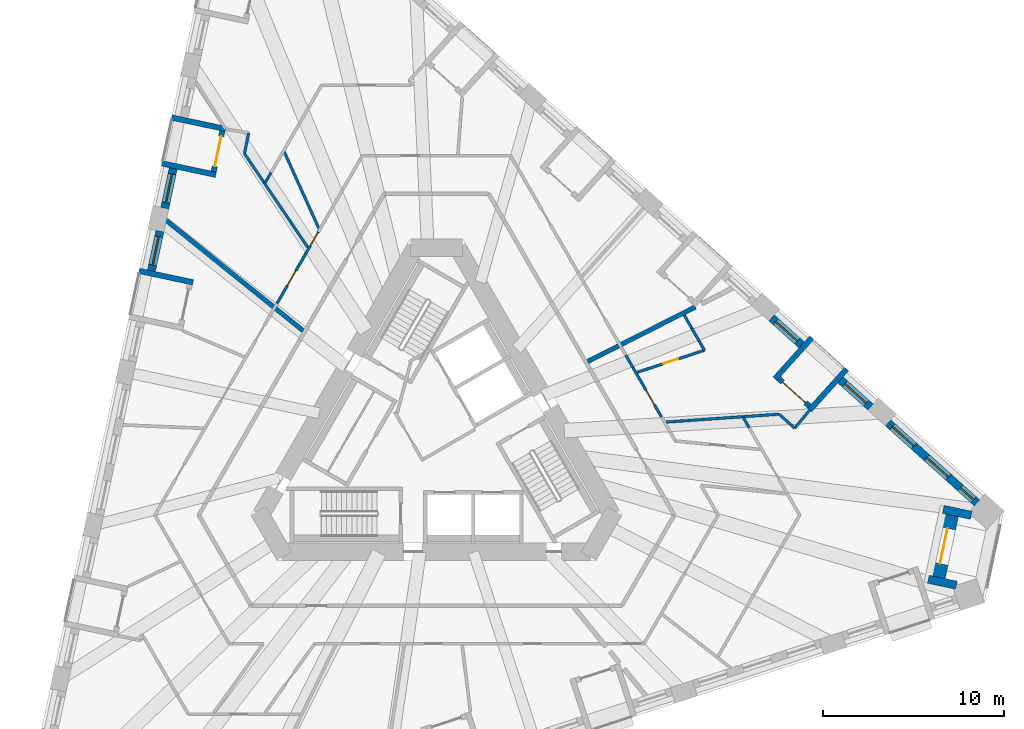
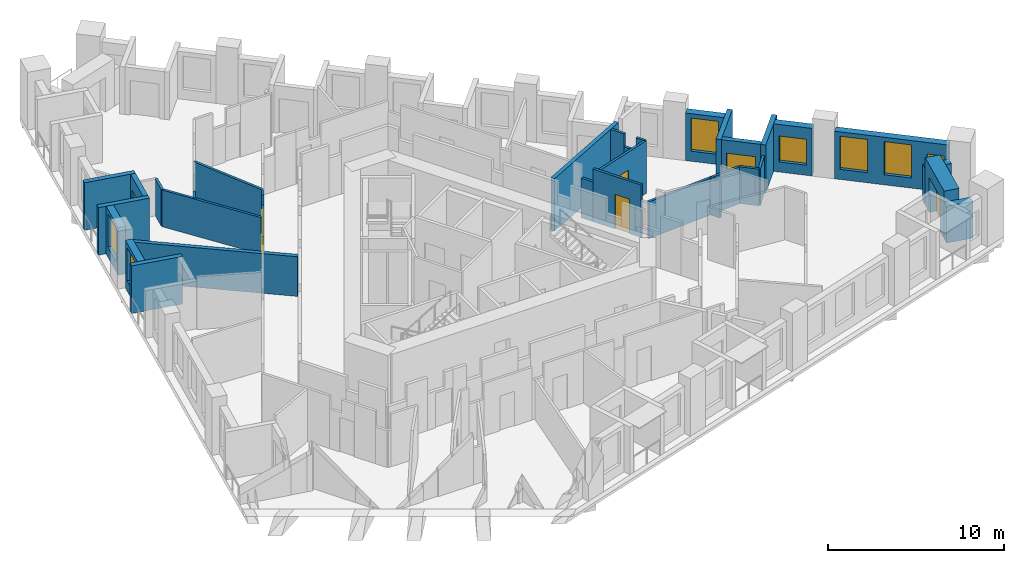
# One storey, part 7 of 13: 33 walls, 7 doors, 7 windows, 14 openings.
"""IFC4 building model written with IfcOpenShell, lengths in metres."""

from ifc_helpers import new_model, si_unit, direction, frame, frame_2d, origin, place, context, subcontext, project, spatial, polyline, rectangle, outline, extrude, material, layer, layer_set, type_object, element, fill, save


model = new_model("IFC4")

# Units and contexts
model_context = context("Model", 3, precision=1e-05, world=origin(), true_north=direction((0.0, 1.0)))
body_context = subcontext(model_context, "Body", "Model", "MODEL_VIEW")
ifc_project = project(units=[si_unit("LENGTHUNIT", "METRE"), si_unit("AREAUNIT", "SQUARE_METRE"), si_unit("VOLUMEUNIT", "CUBIC_METRE"), si_unit("PLANEANGLEUNIT", "RADIAN"), si_unit("MASSUNIT", "GRAM", prefix="KILO")], contexts=[model_context])

# Site, building, storey
site_placement = place(None, origin())
site = spatial("IfcSite", under=ifc_project, at=site_placement, CompositionType="ELEMENT")
building_placement = place(site_placement, origin())
building = spatial("IfcBuilding", under=site, at=building_placement, Name="Tramontana Tower", CompositionType="ELEMENT")
storey_placement = place(building_placement, frame((0.0, 0.0, 116.39990234375)))
storey = spatial("IfcBuildingStorey", under=building, at=storey_placement, Name="L26", CompositionType="ELEMENT", Elevation=116.39990234375)

# Wall, opening, window
ifc_material_1 = material(Name="Precast concrete 60 MPa", Category="concrete")
ifc_layer_1 = layer(ifc_material_1, 0.449951171875)
ifc_layer_set_1 = layer_set([ifc_layer_1], Name="Precast concrete 60 MPa, 450 mm")
wall_type_1 = type_object("IfcWallType", Name="EW1 Stone-faced precast wall 450", PredefinedType="SOLIDWALL", material=ifc_layer_set_1)
wall_1_placement = place(storey_placement, frame((-14.545654296875, 14.896728515625, 0.0), z_axis=(0.0, 0.0, 1.0), x_axis=(-0.207941001029, -0.978141370197, 0.0)))
wall_1 = element("IfcWall", 1, at=wall_1_placement, inside=storey, type_object=wall_type_1, Name="External wall L26 face 0 bay 2", PredefinedType="SOLIDWALL", context=body_context, shape_type="SweptSolid", body=[
    extrude(rectangle(XDim=2.236572265625, YDim=0.449951171875, at=frame_2d((1.1181640625, 0.0))), origin(), (0.0, 0.0, 1.0), 3.300048828125),
])
opening_1_placement = place(wall_1_placement, frame((0.318359375, 0.0, 0.699951171875)))
opening_1 = element("IfcOpeningElement", 2, at=opening_1_placement, cuts=wall_1, Name="Opening M1", PredefinedType="OPENING", context=body_context, shape_type="SweptSolid", body=[
    extrude(rectangle(XDim=1.60009765625, YDim=2.300048828125, at=frame_2d((0.800048828125, 1.14990234375))), frame((0.0, 0.23486328125, 0.0), z_axis=(0.0, -1.0, 0.0), x_axis=(1.0, 0.0, 0.0)), (0.0, 0.0, 1.0), 0.469970703125),
])
ifc_material_2 = material(Name="Aluminum frame, double glazing unit", Category="aluminium")
window_type_1 = type_object("IfcWindowType", Name="M1 Window 1.6 x 2.3", PartitioningType="SINGLE_PANEL", PredefinedType="WINDOW", material=ifc_material_2)
window_1_placement = place(opening_1_placement, origin())
window_1 = element("IfcWindow", 3, at=window_1_placement, inside=storey, type_object=window_type_1, Name="Window M1 L26 face 0 module 6", OverallHeight=2.300048828125, OverallWidth=1.60009765625, PartitioningType="SINGLE_PANEL", PredefinedType="WINDOW", context=body_context, shape_type="SweptSolid", body=[
    extrude(rectangle(XDim=1.60009765625, YDim=2.300048828125, at=frame_2d((0.800048828125, 1.14990234375))), frame((0.0, 0.030029296875, 0.0), z_axis=(0.0, -1.0, 0.0), x_axis=(1.0, 0.0, 0.0)), (0.0, 0.0, 1.0), 0.06005859375),
])
fill(opening_1, window_1)

wall_2_placement = place(storey_placement, frame((-15.281005859375, 11.437255859375, 0.0), z_axis=(0.0, 0.0, 1.0), x_axis=(-0.207941001029, -0.978141370197, 0.0)))
wall_2 = element("IfcWall", 4, at=wall_2_placement, inside=storey, type_object=wall_type_1, Name="External wall L26 face 0 bay 3", PredefinedType="SOLIDWALL", context=body_context, shape_type="SweptSolid", body=[
    extrude(rectangle(XDim=2.236572265625, YDim=0.449951171875, at=frame_2d((1.1181640625, 0.0))), origin(), (0.0, 0.0, 1.0), 3.300048828125),
])
opening_2_placement = place(wall_2_placement, frame((0.318359375, 0.0, 0.699951171875)))
opening_2 = element("IfcOpeningElement", 5, at=opening_2_placement, cuts=wall_2, Name="Opening M1", PredefinedType="OPENING", context=body_context, shape_type="SweptSolid", body=[
    extrude(rectangle(XDim=1.60009765625, YDim=2.300048828125, at=frame_2d((0.800048828125, 1.14990234375))), frame((0.0, 0.23486328125, 0.0), z_axis=(0.0, -1.0, 0.0), x_axis=(1.0, 0.0, 0.0)), (0.0, 0.0, 1.0), 0.469970703125),
])
window_2_placement = place(opening_2_placement, origin())
window_2 = element("IfcWindow", 6, at=window_2_placement, inside=storey, type_object=window_type_1, Name="Window M1 L26 face 0 module 7", OverallHeight=2.300048828125, OverallWidth=1.60009765625, PartitioningType="SINGLE_PANEL", PredefinedType="WINDOW", context=body_context, shape_type="SweptSolid", body=[
    extrude(rectangle(XDim=1.60009765625, YDim=2.300048828125, at=frame_2d((0.800048828125, 1.14990234375))), frame((0.0, 0.030029296875, 0.0), z_axis=(0.0, -1.0, 0.0), x_axis=(1.0, 0.0, 0.0)), (0.0, 0.0, 1.0), 0.06005859375),
])
fill(opening_2, window_2)

# Wall, openings, windows
wall_3_placement = place(storey_placement, frame((29.85986328125, -3.57275390625, 0.0), z_axis=(0.0, 0.0, 1.0), x_axis=(-0.743161908204, 0.669111633582, 0.0)))
wall_3 = element("IfcWall", 7, at=wall_3_placement, inside=storey, type_object=wall_type_1, Name="External wall L26 face 2 bay 1", PredefinedType="SOLIDWALL", context=body_context, shape_type="SweptSolid", body=[
    extrude(rectangle(XDim=6.6103515625, YDim=0.449951171875, at=frame_2d((3.30517578125, 0.0))), origin(), (0.0, 0.0, 1.0), 3.300048828125),
])
opening_3_placement = place(wall_3_placement, frame((0.243408203125, 0.0, 0.699951171875)))
opening_3 = element("IfcOpeningElement", 8, at=opening_3_placement, cuts=wall_3, Name="Opening N1L", PredefinedType="OPENING", context=body_context, shape_type="SweptSolid", body=[
    extrude(rectangle(XDim=1.0, YDim=1.800048828125, at=frame_2d((0.5, 0.89990234375))), frame((0.0, 0.23486328125, 0.0), z_axis=(0.0, -1.0, 0.0), x_axis=(1.0, 0.0, 0.0)), (0.0, 0.0, 1.0), 0.469970703125),
])
opening_4_placement = place(wall_3_placement, frame((2.130126953125, 0.0, 0.699951171875)))
opening_4 = element("IfcOpeningElement", 9, at=opening_4_placement, cuts=wall_3, Name="Opening M1", PredefinedType="OPENING", context=body_context, shape_type="SweptSolid", body=[
    extrude(rectangle(XDim=1.60009765625, YDim=2.300048828125, at=frame_2d((0.800048828125, 1.14990234375))), frame((0.0, 0.23486328125, 0.0), z_axis=(0.0, -1.0, 0.0), x_axis=(1.0, 0.0, 0.0)), (0.0, 0.0, 1.0), 0.469970703125),
])
opening_5_placement = place(wall_3_placement, frame((4.69189453125, 0.0, 0.699951171875)))
opening_5 = element("IfcOpeningElement", 10, at=opening_5_placement, cuts=wall_3, Name="Opening M1", PredefinedType="OPENING", context=body_context, shape_type="SweptSolid", body=[
    extrude(rectangle(XDim=1.60009765625, YDim=2.300048828125, at=frame_2d((0.800048828125, 1.14990234375))), frame((0.0, 0.23486328125, 0.0), z_axis=(0.0, -1.0, 0.0), x_axis=(1.0, 0.0, 0.0)), (0.0, 0.0, 1.0), 0.469970703125),
])
window_3_placement = place(opening_4_placement, origin())
window_3 = element("IfcWindow", 11, at=window_3_placement, inside=storey, type_object=window_type_1, Name="Window M1 L26 face 2 module 2", OverallHeight=2.300048828125, OverallWidth=1.60009765625, PartitioningType="SINGLE_PANEL", PredefinedType="WINDOW", context=body_context, shape_type="SweptSolid", body=[
    extrude(rectangle(XDim=1.60009765625, YDim=2.300048828125, at=frame_2d((0.800048828125, 1.14990234375))), frame((0.0, 0.030029296875, 0.0), z_axis=(0.0, -1.0, 0.0), x_axis=(1.0, 0.0, 0.0)), (0.0, 0.0, 1.0), 0.06005859375),
])
fill(opening_4, window_3)
window_4_placement = place(opening_5_placement, origin())
window_4 = element("IfcWindow", 12, at=window_4_placement, inside=storey, type_object=window_type_1, Name="Window M1 L26 face 2 module 3", OverallHeight=2.300048828125, OverallWidth=1.60009765625, PartitioningType="SINGLE_PANEL", PredefinedType="WINDOW", context=body_context, shape_type="SweptSolid", body=[
    extrude(rectangle(XDim=1.60009765625, YDim=2.300048828125, at=frame_2d((0.800048828125, 1.14990234375))), frame((0.0, 0.030029296875, 0.0), z_axis=(0.0, -1.0, 0.0), x_axis=(1.0, 0.0, 0.0)), (0.0, 0.0, 1.0), 0.06005859375),
])
fill(opening_5, window_4)
ifc_material_3 = material(Name="Aluminum frame, double glazing unit", Category="aluminium")
window_type_2 = type_object("IfcWindowType", Name="N1L Window 1 x 1.8", PartitioningType="SINGLE_PANEL", PredefinedType="WINDOW", material=ifc_material_3)
window_5_placement = place(opening_3_placement, origin())
window_5 = element("IfcWindow", 13, at=window_5_placement, inside=storey, type_object=window_type_2, Name="Window N1L L26 face 2 module 1", OverallHeight=1.800048828125, OverallWidth=1.0, PartitioningType="SINGLE_PANEL", PredefinedType="WINDOW", context=body_context, shape_type="SweptSolid", body=[
    extrude(rectangle(XDim=1.0, YDim=1.800048828125, at=frame_2d((0.5, 0.89990234375))), frame((0.0, 0.030029296875, 0.0), z_axis=(0.0, -1.0, 0.0), x_axis=(1.0, 0.0, 0.0)), (0.0, 0.0, 1.0), 0.06005859375),
])
fill(opening_3, window_5)

# Wall, opening, window
wall_4_placement = place(storey_placement, frame((23.981201171875, 1.72021484375, 0.0), z_axis=(0.0, 0.0, 1.0), x_axis=(-0.743142151309, 0.669133576311, 0.0)))
wall_4 = element("IfcWall", 14, at=wall_4_placement, inside=storey, type_object=wall_type_1, Name="External wall L26 face 2 bay 2", PredefinedType="SOLIDWALL", context=body_context, shape_type="SweptSolid", body=[
    extrude(rectangle(XDim=2.236572265625, YDim=0.449951171875, at=frame_2d((1.1181640625, 0.0))), origin(), (0.0, 0.0, 1.0), 3.300048828125),
])
opening_6_placement = place(wall_4_placement, frame((0.318359375, 0.0, 0.699951171875)))
opening_6 = element("IfcOpeningElement", 15, at=opening_6_placement, cuts=wall_4, Name="Opening M1L", PredefinedType="OPENING", context=body_context, shape_type="SweptSolid", body=[
    extrude(rectangle(XDim=1.60009765625, YDim=1.800048828125, at=frame_2d((0.800048828125, 0.89990234375))), frame((0.0, 0.23486328125, 0.0), z_axis=(0.0, -1.0, 0.0), x_axis=(1.0, 0.0, 0.0)), (0.0, 0.0, 1.0), 0.469970703125),
])
ifc_material_4 = material(Name="Aluminum frame, double glazing unit", Category="aluminium")
window_type_3 = type_object("IfcWindowType", Name="M1L Window 1.6 x 1.8", PartitioningType="SINGLE_PANEL", PredefinedType="WINDOW", material=ifc_material_4)
window_6_placement = place(opening_6_placement, origin())
window_6 = element("IfcWindow", 16, at=window_6_placement, inside=storey, type_object=window_type_3, Name="Window M1L L26 face 2 module 4", OverallHeight=1.800048828125, OverallWidth=1.60009765625, PartitioningType="SINGLE_PANEL", PredefinedType="WINDOW", context=body_context, shape_type="SweptSolid", body=[
    extrude(rectangle(XDim=1.60009765625, YDim=1.800048828125, at=frame_2d((0.800048828125, 0.89990234375))), frame((0.0, 0.030029296875, 0.0), z_axis=(0.0, -1.0, 0.0), x_axis=(1.0, 0.0, 0.0)), (0.0, 0.0, 1.0), 0.06005859375),
])
fill(opening_6, window_6)

wall_5_placement = place(storey_placement, frame((20.173828125, 5.1484375, 0.0), z_axis=(0.0, 0.0, 1.0), x_axis=(-0.743136746477, 0.669139578889, 0.0)))
wall_5 = element("IfcWall", 17, at=wall_5_placement, inside=storey, type_object=wall_type_1, Name="External wall L26 face 2 bay 2", PredefinedType="SOLIDWALL", context=body_context, shape_type="SweptSolid", body=[
    extrude(rectangle(XDim=2.237060546875, YDim=0.449951171875, at=frame_2d((1.11865234375, 0.0))), origin(), (0.0, 0.0, 1.0), 3.300048828125),
])
opening_7_placement = place(wall_5_placement, frame((0.318359375, 0.0, 0.699951171875)))
opening_7 = element("IfcOpeningElement", 18, at=opening_7_placement, cuts=wall_5, Name="Opening M1", PredefinedType="OPENING", context=body_context, shape_type="SweptSolid", body=[
    extrude(rectangle(XDim=1.60009765625, YDim=2.300048828125, at=frame_2d((0.800048828125, 1.14990234375))), frame((0.0, 0.23486328125, 0.0), z_axis=(0.0, -1.0, 0.0), x_axis=(1.0, 0.0, 0.0)), (0.0, 0.0, 1.0), 0.469970703125),
])
window_7_placement = place(opening_7_placement, origin())
window_7 = element("IfcWindow", 19, at=window_7_placement, inside=storey, type_object=window_type_1, Name="Window M1 L26 face 2 module 6", OverallHeight=2.300048828125, OverallWidth=1.60009765625, PartitioningType="SINGLE_PANEL", PredefinedType="WINDOW", context=body_context, shape_type="SweptSolid", body=[
    extrude(rectangle(XDim=1.60009765625, YDim=2.300048828125, at=frame_2d((0.800048828125, 1.14990234375))), frame((0.0, 0.030029296875, 0.0), z_axis=(0.0, -1.0, 0.0), x_axis=(1.0, 0.0, 0.0)), (0.0, 0.0, 1.0), 0.06005859375),
])
fill(opening_7, window_7)

# Walls
for number, where, z_axis, x_axis, name in (
    (20, (29.5390625, -4.259521484375, 0.0), (0.0, 0.0, 1.0), (-0.978142738706, 0.207934563547, 0.0), "Corner loggia side wall L26 K22l"),
    (21, (28.7177734375, -8.123291015625, 0.0), (0.0, 0.0, 1.0), (-0.978142738706, 0.207934563547, 0.0), "Corner loggia side wall L26 K22r"),
):
    element("IfcWall", number, at=place(storey_placement, frame(where, z_axis=z_axis, x_axis=x_axis)), inside=storey, type_object=wall_type_1, Name=name, PredefinedType="SOLIDWALL", context=body_context, shape_type="SweptSolid", body=[
        extrude(rectangle(XDim=1.5791015625, YDim=0.449951171875, at=frame_2d((0.78955078125, 0.0))), origin(), (0.0, 0.0, 1.0), 2.550048828125),
    ])

# Wall, opening, door
ifc_material_5 = material(Name="Precast concrete 60 MPa", Category="concrete")
ifc_layer_2 = layer(ifc_material_5, 0.89990234375)
ifc_layer_set_2 = layer_set([ifc_layer_2], Name="EW2 Stone-faced corner loggia wall 900")
wall_type_2 = type_object("IfcWallType", Name="EW2 Stone-faced corner loggia wall 900", PredefinedType="SOLIDWALL", material=ifc_layer_set_2)
wall_6_placement = place(storey_placement, frame((28.3876953125, -4.244873046875, 0.0), z_axis=(0.0, 0.0, 1.0), x_axis=(-0.207866264069, -0.978157255385, 0.0)))
wall_6 = element("IfcWall", 22, at=wall_6_placement, inside=storey, type_object=wall_type_2, Name="Corner loggia wall L26 K22", PredefinedType="SOLIDWALL", context=body_context, shape_type="SweptSolid", body=[
    extrude(rectangle(XDim=3.5, YDim=0.89990234375, at=frame_2d((1.75, 0.0))), origin(), (0.0, 0.0, 1.0), 3.300048828125),
])
opening_8_placement = place(wall_6_placement, frame((0.75, 0.0, 0.0)))
opening_8 = element("IfcOpeningElement", 23, at=opening_8_placement, cuts=wall_6, Name="Opening BD-22C", PredefinedType="OPENING", context=body_context, shape_type="SweptSolid", body=[
    extrude(rectangle(XDim=2.0, YDim=2.39990234375, at=frame_2d((1.0, 1.199951171875))), frame((0.0, 0.4599609375, 0.0), z_axis=(0.0, -1.0, 0.0), x_axis=(1.0, 0.0, 0.0)), (0.0, 0.0, 1.0), 0.919921875),
])
ifc_material_6 = material(Name="Aluminum frame, double glazing unit", Category="aluminium")
door_type_1 = type_object("IfcDoorType", Name="BC1 Sliding door 2 x 2.4", OperationType="SLIDING_TO_LEFT", PredefinedType="DOOR", material=ifc_material_6)
door_1_placement = place(opening_8_placement, origin())
door_1 = element("IfcDoor", 24, at=door_1_placement, inside=storey, type_object=door_type_1, Name="Corner loggia door L26 K22", OperationType="SLIDING_TO_LEFT", OverallHeight=2.39990234375, OverallWidth=2.0, PredefinedType="DOOR", context=body_context, shape_type="SweptSolid", body=[
    extrude(rectangle(XDim=2.0, YDim=2.39990234375, at=frame_2d((1.0, 1.199951171875))), frame((0.0, 0.02490234375, 0.0), z_axis=(0.0, -1.0, 0.0), x_axis=(1.0, 0.0, 0.0)), (0.0, 0.0, 1.0), 0.050048828125),
])
fill(opening_8, door_1)

ifc_material_7 = material(Name="Precast concrete 60 MPa", Category="concrete")
ifc_layer_3 = layer(ifc_material_7, 0.300048828125)
ifc_layer_set_3 = layer_set([ifc_layer_3], Name="LW1 Stone-faced loggia wall 300")
wall_type_3 = type_object("IfcWallType", Name="LW1 Stone-faced loggia wall 300", PredefinedType="SOLIDWALL", material=ifc_layer_set_3)
wall_7_placement = place(storey_placement, frame((-11.83154296875, 16.96435546875, 0.0), z_axis=(0.0, 0.0, 1.0), x_axis=(-0.207866417042, -0.978157222877, 0.0)))
wall_7 = element("IfcWall", 25, at=wall_7_placement, inside=storey, type_object=wall_type_3, Name="Loggia wall L26 G2S0.4", PredefinedType="SOLIDWALL", context=body_context, shape_type="SweptSolid", body=[
    extrude(rectangle(XDim=2.286865234375, YDim=0.300048828125, at=frame_2d((1.1435546875, 0.0))), origin(), (0.0, 0.0, 1.0), 3.300048828125),
])
opening_9_placement = place(wall_7_placement, frame((0.29345703125, 0.0, 0.0)))
opening_9 = element("IfcOpeningElement", 26, at=opening_9_placement, cuts=wall_7, Name="Opening BD-2S0-04", PredefinedType="OPENING", context=body_context, shape_type="SweptSolid", body=[
    extrude(rectangle(XDim=1.699951171875, YDim=2.39990234375, at=frame_2d((0.85009765625, 1.199951171875))), frame((0.0, 0.159912109375, 0.0), z_axis=(0.0, -1.0, 0.0), x_axis=(1.0, 0.0, 0.0)), (0.0, 0.0, 1.0), 0.320068359375),
])
ifc_material_8 = material(Name="Aluminum frame, double glazing unit", Category="aluminium")
door_type_2 = type_object("IfcDoorType", Name="BD1 Sliding door 1.7 x 2.4", OperationType="SLIDING_TO_LEFT", PredefinedType="DOOR", material=ifc_material_8)
door_2_placement = place(opening_9_placement, origin())
door_2 = element("IfcDoor", 27, at=door_2_placement, inside=storey, type_object=door_type_2, Name="Loggia door L26 G2S0.4", OperationType="SLIDING_TO_LEFT", OverallHeight=2.39990234375, OverallWidth=1.699951171875, PredefinedType="DOOR", context=body_context, shape_type="SweptSolid", body=[
    extrude(rectangle(XDim=1.699951171875, YDim=2.39990234375, at=frame_2d((0.85009765625, 1.199951171875))), frame((0.0, 0.02490234375, 0.0), z_axis=(0.0, -1.0, 0.0), x_axis=(1.0, 0.0, 0.0)), (0.0, 0.0, 1.0), 0.050048828125),
])
fill(opening_9, door_2)

# Walls
for number, where, z_axis, x_axis, name in (
    (28, (-14.636962890625, 17.714111328125, 0.0), (0.0, 0.0, 1.0), (0.978138503145, -0.207954487003, 0.0), "Loggia return L26 G2S0.4a"),
    (29, (-15.1748046875, 15.183837890625, 0.0), (0.0, 0.0, 1.0), (0.978138503145, -0.207954487003, 0.0), "Loggia return L26 G2S0.4b"),
    (30, (-16.4375, 9.242919921875, 0.0), (0.0, 0.0, 1.0), (0.978154782045, -0.207877902534, 0.0), "Loggia return L26 G2S0.7a"),
):
    element("IfcWall", number, at=place(storey_placement, frame(where, z_axis=z_axis, x_axis=x_axis)), inside=storey, type_object=wall_type_3, Name=name, PredefinedType="SOLIDWALL", context=body_context, shape_type="SweptSolid", body=[
        extrude(rectangle(XDim=3.050048828125, YDim=0.300048828125, at=frame_2d((1.52490234375, 0.0))), origin(), (0.0, 0.0, 1.0), 3.300048828125),
    ])

# Wall, opening, door
wall_8_placement = place(storey_placement, frame((20.607421875, 1.76416015625, 0.0), z_axis=(0.0, 0.0, 1.0), x_axis=(-0.743182653308, 0.669088591909, 0.0)))
wall_8 = element("IfcWall", 31, at=wall_8_placement, inside=storey, type_object=wall_type_3, Name="Loggia wall L26 G2S2.4", PredefinedType="SOLIDWALL", context=body_context, shape_type="SweptSolid", body=[
    extrude(rectangle(XDim=2.28662109375, YDim=0.300048828125, at=frame_2d((1.143310546875, 0.0))), origin(), (0.0, 0.0, 1.0), 3.300048828125),
])
opening_10_placement = place(wall_8_placement, frame((0.29345703125, 0.0, 0.0)))
opening_10 = element("IfcOpeningElement", 32, at=opening_10_placement, cuts=wall_8, Name="Opening BD-2S2-04", PredefinedType="OPENING", context=body_context, shape_type="SweptSolid", body=[
    extrude(rectangle(XDim=1.699951171875, YDim=2.39990234375, at=frame_2d((0.85009765625, 1.199951171875))), frame((0.0, 0.159912109375, 0.0), z_axis=(0.0, -1.0, 0.0), x_axis=(1.0, 0.0, 0.0)), (0.0, 0.0, 1.0), 0.320068359375),
])
door_3_placement = place(opening_10_placement, origin())
door_3 = element("IfcDoor", 33, at=door_3_placement, inside=storey, type_object=door_type_2, Name="Loggia door L26 G2S2.4", OperationType="SLIDING_TO_LEFT", OverallHeight=2.39990234375, OverallWidth=1.699951171875, PredefinedType="DOOR", context=body_context, shape_type="SweptSolid", body=[
    extrude(rectangle(XDim=1.699951171875, YDim=2.39990234375, at=frame_2d((0.85009765625, 1.199951171875))), frame((0.0, 0.02490234375, 0.0), z_axis=(0.0, -1.0, 0.0), x_axis=(1.0, 0.0, 0.0)), (0.0, 0.0, 1.0), 0.050048828125),
])
fill(opening_10, door_3)

# Walls
for number, where, z_axis, x_axis, name in (
    (34, (22.6591796875, 3.81884765625, 0.0), (0.0, 0.0, 1.0), (-0.669115082961, -0.743158802514, 0.0), "Loggia return L26 G2S2.4a"),
    (35, (20.73681640625, 5.5498046875, 0.0), (0.0, 0.0, 1.0), (-0.669115082961, -0.743158802514, 0.0), "Loggia return L26 G2S2.4b"),
):
    element("IfcWall", number, at=place(storey_placement, frame(where, z_axis=z_axis, x_axis=x_axis)), inside=storey, type_object=wall_type_3, Name=name, PredefinedType="SOLIDWALL", context=body_context, shape_type="SweptSolid", body=[
        extrude(rectangle(XDim=3.050048828125, YDim=0.300048828125, at=frame_2d((1.52490234375, 0.0))), origin(), (0.0, 0.0, 1.0), 3.300048828125),
    ])

# Wall, opening, door
ifc_material_9 = material(Name="Gypsum board partition")
ifc_layer_4 = layer(ifc_material_9, 0.14990234375)
ifc_layer_set_4 = layer_set([ifc_layer_4], Name="PARTITION 150")
wall_type_4 = type_object("IfcWallType", Name="PARTITION 150", PredefinedType="PARTITIONING", material=ifc_layer_set_4)
wall_9_placement = place(storey_placement, frame((-8.809326171875, 7.44189453125, 0.0), z_axis=(0.0, 0.0, 1.0), x_axis=(0.500003371769, 0.866023457084, 0.0)))
wall_9 = element("IfcWall", 36, at=wall_9_placement, inside=storey, type_object=wall_type_4, Name="Wall v22-pw04-5", PredefinedType="PARTITIONING", context=body_context, shape_type="SweptSolid", body=[
    extrude(rectangle(XDim=3.15966796875, YDim=0.14990234375, at=frame_2d((1.579833984375, 0.0))), origin(), (0.0, 0.0, 1.0), 3.650146484375),
])
opening_11_placement = place(wall_9_placement, frame((1.13818359375, 0.0, 0.0)))
opening_11 = element("IfcOpeningElement", 37, at=opening_11_placement, cuts=wall_9, Name="Opening B2C-05", PredefinedType="OPENING", context=body_context, shape_type="SweptSolid", body=[
    extrude(rectangle(XDim=0.949951171875, YDim=2.39990234375, at=frame_2d((0.47509765625, 1.199951171875))), frame((0.0, 0.0849609375, 0.0), z_axis=(0.0, -1.0, 0.0), x_axis=(1.0, 0.0, 0.0)), (0.0, 0.0, 1.0), 0.169921875),
])
ifc_material_10 = material(Name="Painted timber", Category="wood")
door_type_3 = type_object("IfcDoorType", Name="DOOR ROOM 950", OperationType="SINGLE_SWING_LEFT", PredefinedType="DOOR", material=ifc_material_10)
door_4_placement = place(opening_11_placement, origin())
door_4 = element("IfcDoor", 38, at=door_4_placement, inside=storey, type_object=door_type_3, Name="Door B2C-05", OperationType="SINGLE_SWING_LEFT", OverallHeight=2.39990234375, OverallWidth=0.949951171875, PredefinedType="DOOR", context=body_context, shape_type="SweptSolid", body=[
    extrude(rectangle(XDim=0.949951171875, YDim=2.39990234375, at=frame_2d((0.47509765625, 1.199951171875))), frame((0.0, 0.02490234375, 0.0), z_axis=(0.0, -1.0, 0.0), x_axis=(1.0, 0.0, 0.0)), (0.0, 0.0, 1.0), 0.050048828125),
])
fill(opening_11, door_4)

wall_10_placement = place(storey_placement, frame((-7.2294921875, 10.17822265625, 0.0), z_axis=(0.0, 0.0, 1.0), x_axis=(0.500072546265, 0.865983515127, 0.0)))
wall_10 = element("IfcWall", 39, at=wall_10_placement, inside=storey, type_object=wall_type_4, Name="Wall v22-pw04-6", PredefinedType="PARTITIONING", context=body_context, shape_type="SweptSolid", body=[
    extrude(outline(polyline([(0.0, 0.0), (1.408447265625, 0.0), (1.408447265625, 3.650146484375), (0.978759765625, 3.650146484375), (0.978759765625, 2.550048828125), (0.0, 2.550048828125), (0.0, 0.0)])), frame((0.0, 0.074951171875, 0.0), z_axis=(0.0, -1.0, 0.0), x_axis=(1.0, 0.0, 0.0)), (0.0, 0.0, 1.0), 0.14990234375),
])
opening_12_placement = place(wall_10_placement, frame((0.508544921875, 0.0, 0.0)))
opening_12 = element("IfcOpeningElement", 40, at=opening_12_placement, cuts=wall_10, Name="Opening B2C-02", PredefinedType="OPENING", context=body_context, shape_type="SweptSolid", body=[
    extrude(rectangle(XDim=0.85009765625, YDim=2.39990234375, at=frame_2d((0.425048828125, 1.199951171875))), frame((0.0, 0.0849609375, 0.0), z_axis=(0.0, -1.0, 0.0), x_axis=(1.0, 0.0, 0.0)), (0.0, 0.0, 1.0), 0.169921875),
])
ifc_material_11 = material(Name="Painted timber", Category="wood")
door_type_4 = type_object("IfcDoorType", Name="DOOR BATH 850", OperationType="SINGLE_SWING_LEFT", PredefinedType="DOOR", material=ifc_material_11)
door_5_placement = place(opening_12_placement, origin())
door_5 = element("IfcDoor", 41, at=door_5_placement, inside=storey, type_object=door_type_4, Name="Door B2C-02", OperationType="SINGLE_SWING_RIGHT", OverallHeight=2.39990234375, OverallWidth=0.85009765625, PredefinedType="DOOR", context=body_context, shape_type="SweptSolid", body=[
    extrude(rectangle(XDim=0.85009765625, YDim=2.39990234375, at=frame_2d((0.425048828125, 1.199951171875))), frame((0.0, 0.02490234375, 0.0), z_axis=(0.0, -1.0, 0.0), x_axis=(1.0, 0.0, 0.0)), (0.0, 0.0, 1.0), 0.050048828125),
])
fill(opening_12, door_5)

# Walls
wall_11_placement = place(storey_placement, frame((-10.611572265625, 15.728515625, 0.0), z_axis=(0.0, 0.0, 1.0), x_axis=(0.207866350726, 0.97815723697, 0.0)))
element("IfcWall", 42, at=wall_11_placement, inside=storey, type_object=wall_type_4, Name="Wall v22-pw10-0", PredefinedType="PARTITIONING", context=body_context, shape_type="SweptSolid", body=[
    extrude(rectangle(XDim=1.1533203125, YDim=0.14990234375, at=frame_2d((0.57666015625, 0.0))), origin(), (0.0, 0.0, 1.0), 2.550048828125),
])
wall_12_placement = place(storey_placement, frame((-9.4873046875, 14.0673828125, 0.0), z_axis=(0.0, 0.0, 1.0), x_axis=(0.499844169366, 0.866115353951, 0.0)))
element("IfcWall", 43, at=wall_12_placement, inside=storey, type_object=wall_type_4, Name="Wall v22-pw13-0", PredefinedType="PARTITIONING", context=body_context, shape_type="SweptSolid", body=[
    extrude(rectangle(XDim=0.694580078125, YDim=0.14990234375, at=frame_2d((0.34716796875, 0.0))), origin(), (0.0, 0.0, 1.0), 2.550048828125),
])
wall_13_placement = place(storey_placement, frame((-7.10888671875, 10.536865234375, 0.0), z_axis=(0.0, 0.0, 1.0), x_axis=(-0.559306796717, 0.828960739207, 0.0)))
element("IfcWall", 44, at=wall_13_placement, inside=storey, type_object=wall_type_4, Name="Wall v22-pw19-0", PredefinedType="PARTITIONING", context=body_context, shape_type="SweptSolid", body=[
    extrude(rectangle(XDim=6.262451171875, YDim=0.14990234375, at=frame_2d((3.13134765625, 0.0))), origin(), (0.0, 0.0, 1.0), 2.550048828125),
])
wall_14_placement = place(storey_placement, frame((-6.463134765625, 11.509521484375, 0.0), z_axis=(0.0, 0.0, 1.0), x_axis=(-0.411949515553, 0.911206670649, 0.0)))
element("IfcWall", 45, at=wall_14_placement, inside=storey, type_object=wall_type_4, Name="Wall v22-pw21", PredefinedType="PARTITIONING", context=body_context, shape_type="SweptSolid", body=[
    extrude(rectangle(XDim=4.795654296875, YDim=0.14990234375, at=frame_2d((2.39794921875, 0.0))), origin(), (0.0, 0.0, 1.0), 3.650146484375),
])
wall_15_placement = place(storey_placement, frame((10.4580078125, 4.58642578125, 0.0), z_axis=(0.0, 0.0, 1.0), x_axis=(0.49979442921, -0.866144057608, 0.0)))
element("IfcWall", 46, at=wall_15_placement, inside=storey, type_object=wall_type_4, Name="Wall v22-pw30-4", PredefinedType="PARTITIONING", context=body_context, shape_type="SweptSolid", body=[
    extrude(rectangle(XDim=0.782958984375, YDim=0.14990234375, at=frame_2d((0.3916015625, 0.0))), origin(), (0.0, 0.0, 1.0), 2.75),
])

# Wall, opening, door
wall_16_placement = place(storey_placement, frame((10.849365234375, 3.908203125, 0.0), z_axis=(0.0, 0.0, 1.0), x_axis=(0.500027861653, -0.866009317254, 0.0)))
wall_16 = element("IfcWall", 47, at=wall_16_placement, inside=storey, type_object=wall_type_4, Name="Wall v22-pw30-5", PredefinedType="PARTITIONING", context=body_context, shape_type="SweptSolid", body=[
    extrude(rectangle(XDim=3.159912109375, YDim=0.14990234375, at=frame_2d((1.580078125, 0.0))), origin(), (0.0, 0.0, 1.0), 3.650146484375),
])
opening_13_placement = place(wall_16_placement, frame((1.440673828125, 0.0, 0.0)))
opening_13 = element("IfcOpeningElement", 48, at=opening_13_placement, cuts=wall_16, Name="Opening B2C-19", PredefinedType="OPENING", context=body_context, shape_type="SweptSolid", body=[
    extrude(rectangle(XDim=0.949951171875, YDim=2.39990234375, at=frame_2d((0.47509765625, 1.199951171875))), frame((0.0, 0.0849609375, 0.0), z_axis=(0.0, -1.0, 0.0), x_axis=(1.0, 0.0, 0.0)), (0.0, 0.0, 1.0), 0.169921875),
])
door_6_placement = place(opening_13_placement, origin())
door_6 = element("IfcDoor", 49, at=door_6_placement, inside=storey, type_object=door_type_3, Name="Door B2C-19", OperationType="SINGLE_SWING_LEFT", OverallHeight=2.39990234375, OverallWidth=0.949951171875, PredefinedType="DOOR", context=body_context, shape_type="SweptSolid", body=[
    extrude(rectangle(XDim=0.949951171875, YDim=2.39990234375, at=frame_2d((0.47509765625, 1.199951171875))), frame((0.0, 0.02490234375, 0.0), z_axis=(0.0, -1.0, 0.0), x_axis=(1.0, 0.0, 0.0)), (0.0, 0.0, 1.0), 0.050048828125),
])
fill(opening_13, door_6)

# Walls
wall_17_placement = place(storey_placement, frame((12.6796875, 0.88818359375, 0.0), z_axis=(0.0, 0.0, 1.0), x_axis=(0.997556875713, 0.069858998838, 0.0)))
element("IfcWall", 50, at=wall_17_placement, inside=storey, type_object=wall_type_4, Name="Wall v22-pw36-0", PredefinedType="PARTITIONING", context=body_context, shape_type="SweptSolid", body=[
    extrude(rectangle(XDim=6.2626953125, YDim=0.14990234375, at=frame_2d((3.13134765625, 0.0))), origin(), (0.0, 0.0, 1.0), 2.550048828125),
])
wall_18_placement = place(storey_placement, frame((13.6845703125, 6.797607421875, 0.0), z_axis=(0.0, 0.0, 1.0), x_axis=(0.499949632511, -0.866054481515, 0.0)))
element("IfcWall", 51, at=wall_18_placement, inside=storey, type_object=wall_type_4, Name="Wall v22-pw38-0", PredefinedType="PARTITIONING", context=body_context, shape_type="SweptSolid", body=[
    extrude(rectangle(XDim=0.8681640625, YDim=0.14990234375, at=frame_2d((0.43408203125, 0.0))), origin(), (0.0, 0.0, 1.0), 3.650146484375),
])
wall_19_placement = place(storey_placement, frame((14.11865234375, 6.045654296875, 0.0), z_axis=(0.0, 0.0, 1.0), x_axis=(0.500163300928, -0.865931101419, 0.0)))
element("IfcWall", 52, at=wall_19_placement, inside=storey, type_object=wall_type_4, Name="Wall v22-pw38-1", PredefinedType="PARTITIONING", context=body_context, shape_type="SweptSolid", body=[
    extrude(rectangle(XDim=0.782958984375, YDim=0.14990234375, at=frame_2d((0.3916015625, 0.0))), origin(), (0.0, 0.0, 1.0), 2.75),
])
wall_20_placement = place(storey_placement, frame((14.51025390625, 5.36767578125, 0.0), z_axis=(0.0, 0.0, 1.0), x_axis=(0.499758416753, -0.866164837017, 0.0)))
element("IfcWall", 53, at=wall_20_placement, inside=storey, type_object=wall_type_4, Name="Wall v22-pw38-2", PredefinedType="PARTITIONING", context=body_context, shape_type="SweptSolid", body=[
    extrude(rectangle(XDim=0.587646484375, YDim=0.14990234375, at=frame_2d((0.2939453125, 0.0))), origin(), (0.0, 0.0, 1.0), 3.650146484375),
])

# Wall, opening, door
wall_21_placement = place(storey_placement, frame((11.0908203125, 3.64013671875, 0.0), z_axis=(0.0, 0.0, 1.0), x_axis=(0.950147342907, 0.311801261651, 0.0)))
wall_21 = element("IfcWall", 54, at=wall_21_placement, inside=storey, type_object=wall_type_4, Name="Wall v22-pw41", PredefinedType="PARTITIONING", context=body_context, shape_type="SweptSolid", body=[
    extrude(rectangle(XDim=3.907958984375, YDim=0.14990234375, at=frame_2d((1.9541015625, 0.0))), origin(), (0.0, 0.0, 1.0), 3.650146484375),
])
opening_14_placement = place(wall_21_placement, frame((1.529052734375, 0.0, 0.0)))
opening_14 = element("IfcOpeningElement", 55, at=opening_14_placement, cuts=wall_21, Name="Opening B2C-20", PredefinedType="OPENING", context=body_context, shape_type="SweptSolid", body=[
    extrude(rectangle(XDim=0.85009765625, YDim=2.39990234375, at=frame_2d((0.425048828125, 1.199951171875))), frame((0.0, 0.0849609375, 0.0), z_axis=(0.0, -1.0, 0.0), x_axis=(1.0, 0.0, 0.0)), (0.0, 0.0, 1.0), 0.169921875),
])
door_7_placement = place(opening_14_placement, origin())
door_7 = element("IfcDoor", 56, at=door_7_placement, inside=storey, type_object=door_type_4, Name="Door B2C-20", OperationType="SINGLE_SWING_RIGHT", OverallHeight=2.39990234375, OverallWidth=0.85009765625, PredefinedType="DOOR", context=body_context, shape_type="SweptSolid", body=[
    extrude(rectangle(XDim=0.85009765625, YDim=2.39990234375, at=frame_2d((0.425048828125, 1.199951171875))), frame((0.0, 0.02490234375, 0.0), z_axis=(0.0, -1.0, 0.0), x_axis=(1.0, 0.0, 0.0)), (0.0, 0.0, 1.0), 0.050048828125),
])
fill(opening_14, door_7)

# Walls
wall_22_placement = place(storey_placement, frame((16.926513671875, 1.1826171875, 0.0), z_axis=(0.0, 0.0, 1.0), x_axis=(0.499844169366, -0.866115353951, 0.0)))
element("IfcWall", 57, at=wall_22_placement, inside=storey, type_object=wall_type_4, Name="Wall v22-pw45-0", PredefinedType="PARTITIONING", context=body_context, shape_type="SweptSolid", body=[
    extrude(rectangle(XDim=0.694580078125, YDim=0.14990234375, at=frame_2d((0.34716796875, 0.0))), origin(), (0.0, 0.0, 1.0), 2.550048828125),
])
wall_23_placement = place(storey_placement, frame((18.927001953125, 1.32568359375, 0.0), z_axis=(0.0, 0.0, 1.0), x_axis=(0.743073109926, -0.669210245966, 0.0)))
element("IfcWall", 58, at=wall_23_placement, inside=storey, type_object=wall_type_4, Name="Wall v22-pw46-0", PredefinedType="PARTITIONING", context=body_context, shape_type="SweptSolid", body=[
    extrude(rectangle(XDim=1.153564453125, YDim=0.14990234375, at=frame_2d((0.57666015625, 0.0))), origin(), (0.0, 0.0, 1.0), 2.550048828125),
])
wall_24_placement = place(storey_placement, frame((19.787109375, 0.553955078125, 0.0), z_axis=(0.0, 0.0, 1.0), x_axis=(0.639907081841, 0.768452292995, 0.0)))
element("IfcWall", 59, at=wall_24_placement, inside=storey, type_object=wall_type_4, Name="Wall v22-pw48-0", PredefinedType="PARTITIONING", context=body_context, shape_type="SweptSolid", body=[
    extrude(rectangle(XDim=1.299072265625, YDim=0.14990234375, at=frame_2d((0.6494140625, 0.0))), origin(), (0.0, 0.0, 1.0), 2.550048828125),
])
ifc_material_12 = material(Name="Blockwork", Category="masonry")
ifc_layer_5 = layer(ifc_material_12, 0.25)
ifc_layer_set_5 = layer_set([ifc_layer_5], Name="PARTY WALL 250")
wall_type_5 = type_object("IfcWallType", Name="PARTY WALL 250", PredefinedType="SOLIDWALL", material=ifc_layer_set_5)
wall_25_placement = place(storey_placement, frame((-7.36865234375, 5.937255859375, 0.0), z_axis=(0.0, 0.0, 1.0), x_axis=(-0.778682214383, 0.627418527781, 0.0)))
element("IfcWall", 60, at=wall_25_placement, inside=storey, type_object=wall_type_5, Name="Wall v22-pw18-0", PredefinedType="SOLIDWALL", context=body_context, shape_type="SweptSolid", body=[
    extrude(rectangle(XDim=9.705078125, YDim=0.25, at=frame_2d((4.8525390625, 0.0))), origin(), (0.0, 0.0, 1.0), 2.75),
])
wall_26_placement = place(storey_placement, frame((14.2939453125, 7.246826171875, 0.0), z_axis=(0.0, 0.0, 1.0), x_axis=(-0.891914003377, -0.452205053686, 0.0)))
element("IfcWall", 61, at=wall_26_placement, inside=storey, type_object=wall_type_5, Name="Wall v22-pw39", PredefinedType="SOLIDWALL", context=body_context, shape_type="SweptSolid", body=[
    extrude(rectangle(XDim=6.662353515625, YDim=0.25, at=frame_2d((3.3310546875, 0.0))), origin(), (0.0, 0.0, 1.0), 3.650146484375),
])

save(model, "model.ifc")
